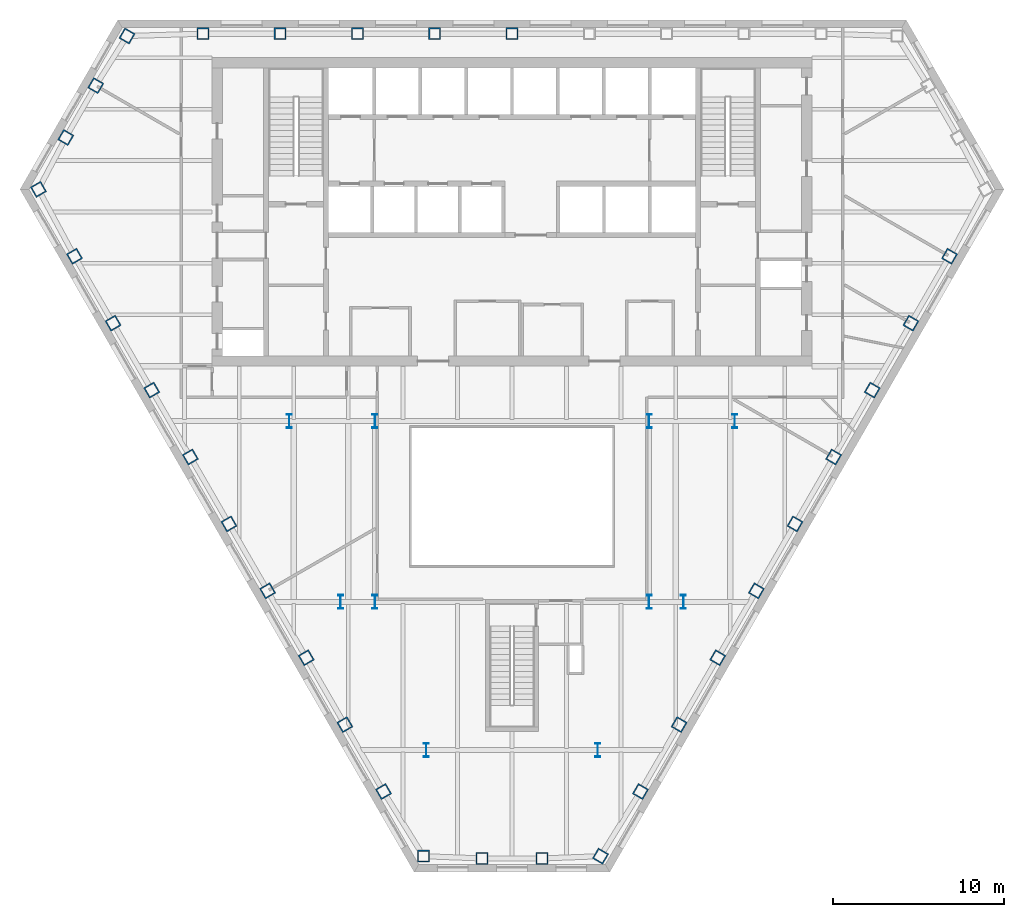
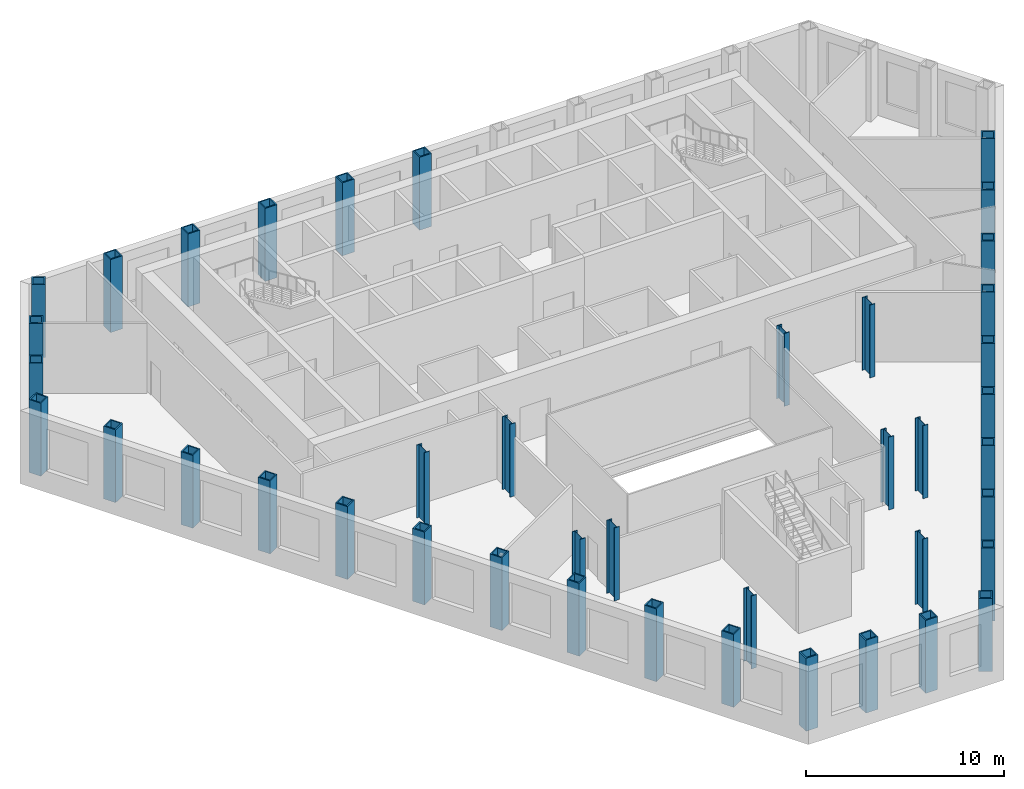
# One storey, part 1 of 10: 41 columns.
"""IFC4 building model written with IfcOpenShell, lengths in metres."""

from ifc_helpers import new_model, si_unit, direction, frame, origin, origin_2d, place, context, subcontext, project, spatial, hollow_rectangle, i_section, extrude, material, material_profile, profile_set, type_object, element, save


model = new_model("IFC4")

# Units and contexts
model_context = context("Model", 3, precision=1e-05, world=origin(), true_north=direction((0.0, 1.0)))
body_context = subcontext(model_context, "Body", "Model", "MODEL_VIEW")
ifc_project = project(units=[si_unit("LENGTHUNIT", "METRE"), si_unit("AREAUNIT", "SQUARE_METRE"), si_unit("VOLUMEUNIT", "CUBIC_METRE"), si_unit("PLANEANGLEUNIT", "RADIAN"), si_unit("MASSUNIT", "GRAM", prefix="KILO")], contexts=[model_context])

# Site, building, storey
site_placement = place(None, origin())
site = spatial("IfcSite", under=ifc_project, at=site_placement, CompositionType="ELEMENT")
building_placement = place(site_placement, origin())
building = spatial("IfcBuilding", under=site, at=building_placement, Name="Njiva Tower", CompositionType="ELEMENT")
storey_placement = place(building_placement, frame((0.0, 0.0, 51.3)))
storey = spatial("IfcBuildingStorey", under=building, at=storey_placement, Name="L10", CompositionType="ELEMENT", Elevation=51.3)

# Columns
ifc_material = material(Name="Steel S355 J2", Category="steel")
ifc_material_profile_1 = material_profile(ifc_material, hollow_rectangle(XDim=0.7, YDim=0.7, WallThickness=0.07, at=origin_2d()), Name="BOX 700x700x70")
ifc_profile_set_1 = profile_set([ifc_material_profile_1], Name="Steel S355 J2")
column_type_1 = type_object("IfcColumnType", Name="C5 Perimeter tube column BOX 700x700x70", PredefinedType="COLUMN", material=ifc_profile_set_1)
for number, where, z_axis, x_axis, name in (
    (1, (0.0, 19.4, 0.0), (0.0, 0.0, 1.0), (-1.0, 0.0, 0.0), "Perimeter tube column S03-C06"),
    (2, (-4.508, 19.4, 0.0), (0.0, 0.0, 1.0), (-1.0, 0.0, 0.0), "Perimeter tube column S03-C07"),
    (3, (-9.015, 19.4, 0.0), (0.0, 0.0, 1.0), (-1.0, 0.0, 0.0), "Perimeter tube column S03-C08"),
    (4, (-13.523, 19.4, 0.0), (0.0, 0.0, 1.0), (-1.0, 0.0, 0.0), "Perimeter tube column S03-C09"),
    (5, (-18.03, 19.4, 0.0), (0.0, 0.0, 1.0), (-1.0, 0.0, 0.0), "Perimeter tube column S03-C10"),
    (6, (-22.461, 19.267, 0.0), (0.0, 0.0, 1.0), (-0.5, -0.866025403784, 0.0), "Perimeter tube column S03-C11"),
    (7, (-24.286, 16.373, 0.0), (0.0, 0.0, 1.0), (-0.5, -0.866025403784, 0.0), "Perimeter tube column S03-C12"),
    (8, (-26.034, 13.346, 0.0), (0.0, 0.0, 1.0), (-0.5, -0.866025403784, 0.0), "Perimeter tube column S03-C13"),
    (9, (-27.628, 10.319, 0.0), (0.0, 0.0, 1.0), (0.5, -0.866025403784, 0.0), "Perimeter tube column S03-C14"),
    (10, (-25.527, 6.415, 0.0), (0.0, 0.0, 1.0), (0.5, -0.866025403784, 0.0), "Perimeter tube column S03-C15"),
    (11, (-23.274, 2.511, 0.0), (0.0, 0.0, 1.0), (0.5, -0.866025403784, 0.0), "Perimeter tube column S03-C16"),
    (12, (-21.02, -1.393, 0.0), (0.0, 0.0, 1.0), (0.5, -0.866025403784, 0.0), "Perimeter tube column S03-C17"),
    (13, (-18.766, -5.296, 0.0), (0.0, 0.0, 1.0), (0.5, -0.866025403784, 0.0), "Perimeter tube column S03-C18"),
    (14, (-16.512, -9.2, 0.0), (0.0, 0.0, 1.0), (0.5, -0.866025403784, 0.0), "Perimeter tube column S03-C19"),
    (15, (-14.258, -13.104, 0.0), (0.0, 0.0, 1.0), (0.5, -0.866025403784, 0.0), "Perimeter tube column S03-C20"),
    (16, (-12.005, -17.007, 0.0), (0.0, 0.0, 1.0), (0.5, -0.866025403784, 0.0), "Perimeter tube column S03-C21"),
    (17, (-9.751, -20.911, 0.0), (0.0, 0.0, 1.0), (0.5, -0.866025403784, 0.0), "Perimeter tube column S03-C22"),
    (18, (-7.497, -24.815, 0.0), (0.0, 0.0, 1.0), (0.5, -0.866025403784, 0.0), "Perimeter tube column S03-C23"),
    (19, (-5.166, -28.585, 0.0), (0.0, 0.0, 1.0), (1.0, 0.0, 0.0), "Perimeter tube column S03-C24"),
    (20, (-1.748, -28.719, 0.0), (0.0, 0.0, 1.0), (1.0, 0.0, 0.0), "Perimeter tube column S03-C25"),
    (21, (1.748, -28.719, 0.0), (0.0, 0.0, 1.0), (1.0, 0.0, 0.0), "Perimeter tube column S03-C26"),
    (22, (5.166, -28.585, 0.0), (0.0, 0.0, 1.0), (0.5, 0.866025403784, 0.0), "Perimeter tube column S03-C27"),
    (23, (7.497, -24.815, 0.0), (0.0, 0.0, 1.0), (0.5, 0.866025403784, 0.0), "Perimeter tube column S03-C28"),
    (24, (9.751, -20.911, 0.0), (0.0, 0.0, 1.0), (0.5, 0.866025403784, 0.0), "Perimeter tube column S03-C29"),
    (25, (12.005, -17.007, 0.0), (0.0, 0.0, 1.0), (0.5, 0.866025403784, 0.0), "Perimeter tube column S03-C30"),
    (26, (14.258, -13.104, 0.0), (0.0, 0.0, 1.0), (0.5, 0.866025403784, 0.0), "Perimeter tube column S03-C31"),
    (27, (16.512, -9.2, 0.0), (0.0, 0.0, 1.0), (0.5, 0.866025403784, 0.0), "Perimeter tube column S03-C32"),
    (28, (18.766, -5.296, 0.0), (0.0, 0.0, 1.0), (0.5, 0.866025403784, 0.0), "Perimeter tube column S03-C33"),
    (29, (21.02, -1.393, 0.0), (0.0, 0.0, 1.0), (0.5, 0.866025403784, 0.0), "Perimeter tube column S03-C34"),
    (30, (23.274, 2.511, 0.0), (0.0, 0.0, 1.0), (0.5, 0.866025403784, 0.0), "Perimeter tube column S03-C35"),
    (31, (25.527, 6.415, 0.0), (0.0, 0.0, 1.0), (0.5, 0.866025403784, 0.0), "Perimeter tube column S03-C36"),
):
    element("IfcColumn", number, at=place(storey_placement, frame(where, z_axis=z_axis, x_axis=x_axis)), inside=storey, type_object=column_type_1, Name=name, PredefinedType="COLUMN", context=body_context, shape_type="SweptSolid", body=[
        extrude(hollow_rectangle(XDim=0.7, YDim=0.7, WallThickness=0.07, at=origin_2d()), origin(), (0.0, 0.0, 1.0), 4.5),
    ])
ifc_material_profile_2 = material_profile(ifc_material, i_section(OverallWidth=0.303, OverallDepth=0.814, WebThickness=0.021, FlangeThickness=0.04, at=origin_2d()), Name="HEM 800")
ifc_profile_set_2 = profile_set([ifc_material_profile_2], Name="Steel S355 J2")
column_type_2 = type_object("IfcColumnType", Name="C6 Interior column HEM 800", PredefinedType="COLUMN", material=ifc_profile_set_2)
for number, where, z_axis, x_axis, name in (
    (32, (8.0, -3.2, 0.0), (0.0, 0.0, 1.0), (1.0, 0.0, 0.0), "Interior column S03-C40"),
    (33, (-8.0, -3.2, 0.0), (0.0, 0.0, 1.0), (1.0, 0.0, 0.0), "Interior column S03-C41"),
    (34, (8.0, -13.75, 0.0), (0.0, 0.0, 1.0), (1.0, 0.0, 0.0), "Interior column S03-C42"),
    (35, (-8.0, -13.75, 0.0), (0.0, 0.0, 1.0), (1.0, 0.0, 0.0), "Interior column S03-C43"),
    (36, (5.0, -22.4, 0.0), (0.0, 0.0, 1.0), (1.0, 0.0, 0.0), "Interior column S03-C44"),
    (37, (-5.0, -22.4, 0.0), (0.0, 0.0, 1.0), (1.0, 0.0, 0.0), "Interior column S03-C45"),
    (38, (13.0, -3.2, 0.0), (0.0, 0.0, 1.0), (1.0, 0.0, 0.0), "Interior column S03-C46"),
    (39, (-13.0, -3.2, 0.0), (0.0, 0.0, 1.0), (1.0, 0.0, 0.0), "Interior column S03-C47"),
    (40, (10.0, -13.75, 0.0), (0.0, 0.0, 1.0), (1.0, 0.0, 0.0), "Interior column S03-C48"),
    (41, (-10.0, -13.75, 0.0), (0.0, 0.0, 1.0), (1.0, 0.0, 0.0), "Interior column S03-C49"),
):
    element("IfcColumn", number, at=place(storey_placement, frame(where, z_axis=z_axis, x_axis=x_axis)), inside=storey, type_object=column_type_2, Name=name, PredefinedType="COLUMN", context=body_context, shape_type="SweptSolid", body=[
        extrude(i_section(OverallWidth=0.303, OverallDepth=0.814, WebThickness=0.021, FlangeThickness=0.04, at=origin_2d()), origin(), (0.0, 0.0, 1.0), 4.5),
    ])

save(model, "model.ifc")
